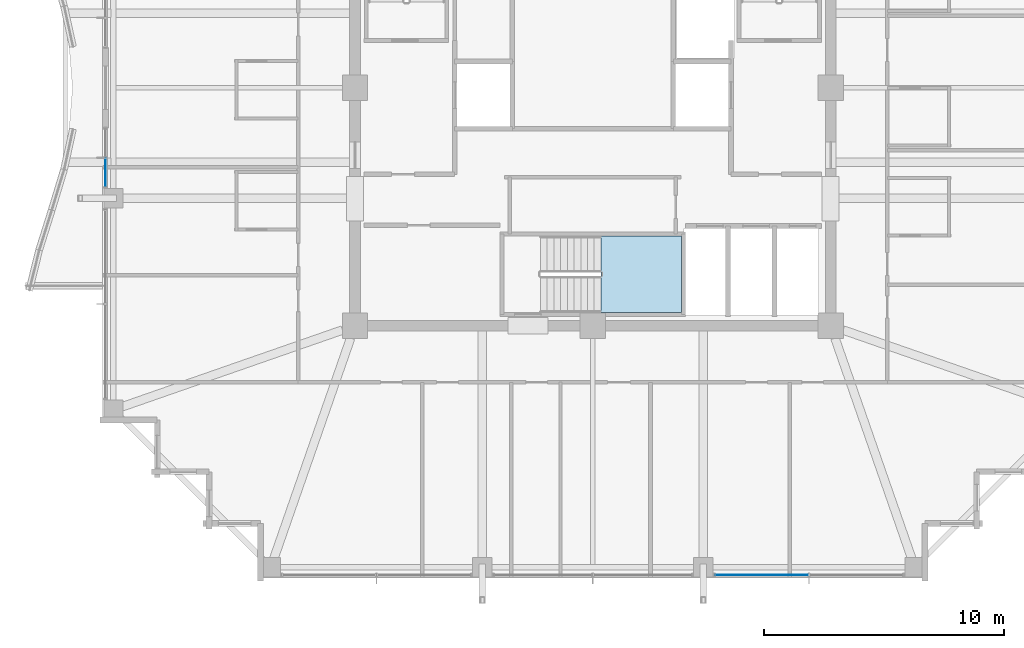
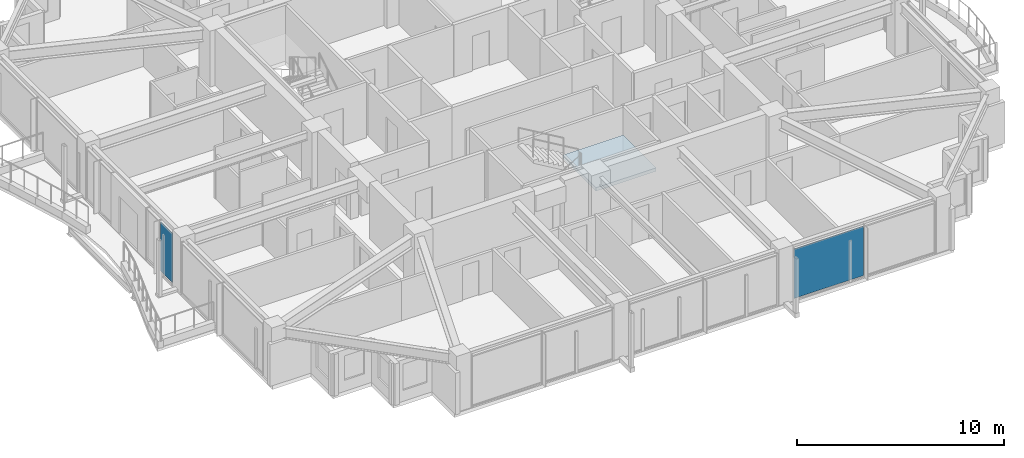
# One storey, part 23 of 35: 2 plates, 1 slab, 3 elements without a shape of their own.
"""IFC4 building model written with IfcOpenShell, lengths in metres."""

from ifc_helpers import new_model, si_unit, direction, frame, origin, origin_2d, place, context, subcontext, project, spatial, polyline, rectangle, outline, extrude, material, layer, layer_set, type_object, element, aggregate, save


model = new_model("IFC4")

# Units and contexts
model_context = context("Model", 3, precision=1e-05, world=origin(), true_north=direction((0.0, 1.0)))
body_context = subcontext(model_context, "Body", "Model", "MODEL_VIEW")
ifc_project = project(units=[si_unit("LENGTHUNIT", "METRE"), si_unit("AREAUNIT", "SQUARE_METRE"), si_unit("VOLUMEUNIT", "CUBIC_METRE"), si_unit("PLANEANGLEUNIT", "RADIAN"), si_unit("MASSUNIT", "GRAM", prefix="KILO")], contexts=[model_context])

# Site, building, storey
site_placement = place(None, origin())
site = spatial("IfcSite", under=ifc_project, at=site_placement, CompositionType="ELEMENT")
building_placement = place(site_placement, origin())
building = spatial("IfcBuilding", under=site, at=building_placement, Name="Kolvaren Belvedere", CompositionType="ELEMENT")
storey_placement = place(building_placement, frame((0.0, 0.0, 216.300048828125)))
storey = spatial("IfcBuildingStorey", under=building, at=storey_placement, Name="L63", CompositionType="ELEMENT", Elevation=216.300048828125)

# Curtain wall, plate
ifc_material_1 = material(Name="Anodised pale-metal aluminium AA 6063-T6", Category="aluminium")
curtain_wall_type = type_object("IfcCurtainWallType", Name="CW-Z5-HIGH", PredefinedType="NOTDEFINED", material=ifc_material_1)
curtain_wall_1_placement = place(storey_placement, origin())
curtain_wall_1 = element("IfcCurtainWall", 1, at=curtain_wall_1_placement, inside=storey, type_object=curtain_wall_type, Name="L63 Unitised Curtain Wall FCW-L63-S-B1", PredefinedType="NOTDEFINED")
ifc_material_2 = material(Name="Low-iron triple insulated glass", Category="glass")
ifc_layer_1 = layer(ifc_material_2, 0.028076171875)
ifc_layer_set_1 = layer_set([ifc_layer_1], Name="Low-iron triple insulated glass")
plate_type = type_object("IfcPlateType", Name="CW-PNL-VIS28", PredefinedType="CURTAIN_PANEL", material=ifc_layer_set_1)
plate_1_placement = place(storey_placement, frame((7.027587890625, -20.280029296875, 0.080078125), z_axis=(0.0, 0.0, 1.0), x_axis=(-1.0, 0.0, 0.0)))
plate_1 = element("IfcPlate", 2, at=plate_1_placement, type_object=plate_type, Name="FCW-L63-S-B1 Vision Glazing Panel 2", PredefinedType="CURTAIN_PANEL", context=body_context, shape_type="SweptSolid", body=[
    extrude(rectangle(XDim=3.864990234375, YDim=0.028076171875, at=origin_2d()), origin(), (0.0, 0.0, 1.0), 2.919921875),
])
aggregate(curtain_wall_1, [plate_1])

curtain_wall_2_placement = place(storey_placement, origin())
curtain_wall_2 = element("IfcCurtainWall", 3, at=curtain_wall_2_placement, inside=storey, type_object=curtain_wall_type, Name="L63 Unitised Curtain Wall FCW-L63-W1-B2", PredefinedType="NOTDEFINED")
plate_2_placement = place(storey_placement, frame((-20.280029296875, -3.52880859375, 0.080078125), z_axis=(0.0, 0.0, 1.0), x_axis=(0.0, 1.0, 0.0)))
plate_2 = element("IfcPlate", 4, at=plate_2_placement, type_object=plate_type, Name="FCW-L63-W1-B2 Vision Glazing Panel 1", PredefinedType="CURTAIN_PANEL", context=body_context, shape_type="SweptSolid", body=[
    extrude(rectangle(XDim=1.152587890625, YDim=0.028076171875, at=origin_2d()), origin(), (0.0, 0.0, 1.0), 2.919921875),
])
aggregate(curtain_wall_2, [plate_2])

# Stair, slab
ifc_material_3 = material(Name="Concrete C50/60", Category="concrete")
stair_type = type_object("IfcStairType", Name="ST-CORE-1520", PredefinedType="HALF_TURN_STAIR", material=ifc_material_3)
stair_placement = place(storey_placement, origin())
stair = element("IfcStair", 5, at=stair_placement, inside=storey, type_object=stair_type, Name="L63 Protected Exit Stair ST-3", PredefinedType="HALF_TURN_STAIR")
ifc_material_4 = material(Name="Concrete C50/60", Category="concrete")
ifc_layer_2 = layer(ifc_material_4, 0.260009765625)
ifc_layer_set_2 = layer_set([ifc_layer_2], Name="Concrete C50/60")
slab_type = type_object("IfcSlabType", Name="SL-LAND-260", PredefinedType="LANDING", material=ifc_layer_set_2)
slab_placement = place(storey_placement, frame((0.0, 0.0, 1.449951171875)))
slab = element("IfcSlab", 6, at=slab_placement, type_object=slab_type, Name="ST-3 landing 1", PredefinedType="LANDING", context=body_context, shape_type="SweptSolid", body=[
    extrude(outline(polyline([(0.340087890625, -9.35009765625), (3.699951171875, -9.35009765625), (3.699951171875, -6.159912109375), (0.340087890625, -6.159912109375), (0.340087890625, -9.35009765625)])), origin(), (0.0, 0.0, 1.0), 0.199951171875),
])
aggregate(stair, [slab])

save(model, "model.ifc")
